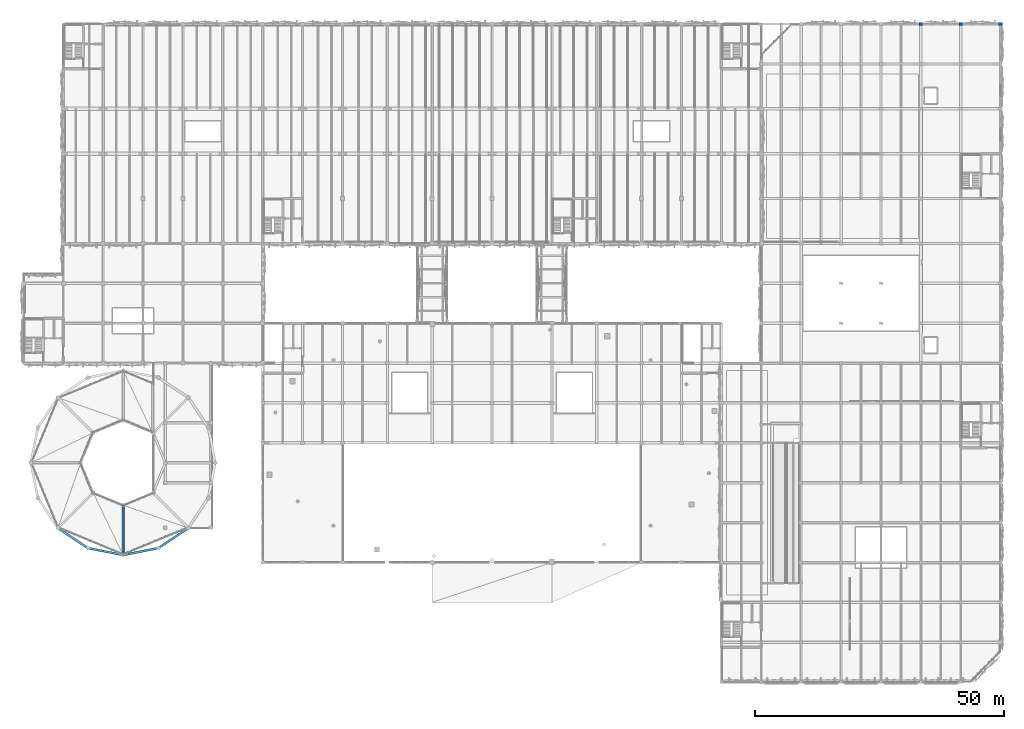
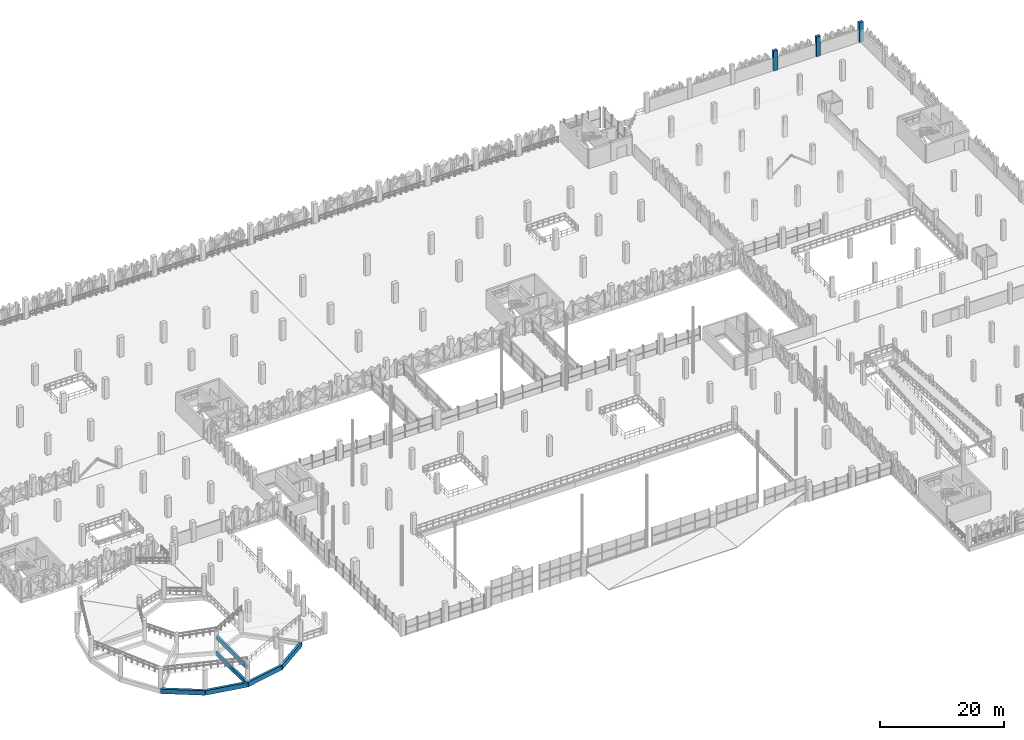
# One storey, part 20 of 123: 6 beams, 3 columns.
"""IFC4 building model written with IfcOpenShell, lengths in metres."""

from ifc_helpers import new_model, si_unit, derived_unit, direction, frame, origin, origin_2d, place, context, subcontext, project, spatial, rectangle, extrude, material, material_profile, profile_set, type_object, element, save


model = new_model("IFC4")

# Units and contexts
model_context = context("Model", 3, precision=1e-05, world=origin(), true_north=direction((0.0, 1.0)))
body_context = subcontext(model_context, "Body", "Model", "MODEL_VIEW")
ifc_project = project(units=[si_unit("LENGTHUNIT", "METRE"), si_unit("AREAUNIT", "SQUARE_METRE"), si_unit("VOLUMEUNIT", "CUBIC_METRE"), si_unit("PLANEANGLEUNIT", "RADIAN"), si_unit("MASSUNIT", "GRAM", prefix="KILO"), si_unit("THERMODYNAMICTEMPERATUREUNIT", "KELVIN"), derived_unit("THERMALTRANSMITTANCEUNIT", [(si_unit("POWERUNIT", "WATT"), 1), (si_unit("AREAUNIT", "SQUARE_METRE"), -1), (si_unit("THERMODYNAMICTEMPERATUREUNIT", "KELVIN"), -1)])], contexts=[model_context])

# Site, building, storey
site_placement = place(None, origin())
site = spatial("IfcSite", under=ifc_project, at=site_placement, CompositionType="ELEMENT")
building_placement = place(site_placement, origin())
building = spatial("IfcBuilding", under=site, at=building_placement, Name="Haiyu Intermodal Mobility Hub", CompositionType="ELEMENT")
storey_placement = place(building_placement, frame((0.0, 0.0, 5.60009765625)))
storey = spatial("IfcBuildingStorey", under=building, at=storey_placement, Name="L01", CompositionType="ELEMENT", Elevation=5.60009765625)

# Columns
ifc_material = material(Name="Concrete C40", Category="concrete")
ifc_material_profile_1 = material_profile(ifc_material, rectangle(XDim=0.75, YDim=0.550048828125, at=origin_2d()), Name="C750x550")
ifc_profile_set_1 = profile_set([ifc_material_profile_1], Name="Concrete C40")
column_type = type_object("IfcColumnType", Name="COL-CC15-EXT", PredefinedType="COLUMN", material=ifc_profile_set_1)
for number, where, z_axis, x_axis, name in (
    (1, (194.0, 148.0, 0.0), (0.0, 0.0, 1.0), (1.0, 0.0, 0.0), "Column V6-22S L01"),
    (2, (202.0, 148.0, 0.0), (0.0, 0.0, 1.0), (1.0, 0.0, 0.0), "Column V6-23S L01"),
    (3, (210.0, 148.0, 0.0), (0.0, 0.0, 1.0), (1.0, 0.0, 0.0), "Column V6-24S L01"),
):
    element("IfcColumn", number, at=place(storey_placement, frame(where, z_axis=z_axis, x_axis=x_axis)), inside=storey, type_object=column_type, Name=name, PredefinedType="COLUMN", context=body_context, shape_type="SweptSolid", body=[
        extrude(rectangle(XDim=0.75, YDim=0.550048828125, at=origin_2d()), origin(), (0.0, 0.0, 1.0), 3.89990234375),
    ])

# Beams
ifc_material_profile_2 = material_profile(ifc_material, rectangle(XDim=0.449951171875, YDim=0.89990234375, at=origin_2d()), Name="RCB450x900")
ifc_profile_set_2 = profile_set([ifc_material_profile_2], Name="Concrete C40")
beam_type_1 = type_object("IfcBeamType", Name="BM-CB10", PredefinedType="BEAM", material=ifc_profile_set_2)
beam_1_placement = place(storey_placement, frame((20.9189453125, 46.9189453125, -0.72998046875), z_axis=(0.831388838942, -0.555691099877, 0.0), x_axis=(0.555691099877, 0.831388838942, 0.0)))
element("IfcBeam", 4, at=beam_1_placement, inside=storey, type_object=beam_type_1, Name="BM-RMP-O-L01-011", PredefinedType="BEAM", context=body_context, shape_type="SweptSolid", body=[
    extrude(rectangle(XDim=0.449951171875, YDim=0.89990234375, at=origin_2d()), origin(), (0.0, 0.0, 1.0), 7.218017578125),
])
for number, where, z_axis, x_axis, name in (
    (5, (26.919921875, 42.907958984375, -0.72998046875), (0.980794718605, -0.195042866972, 0.0), (0.195042866972, 0.980794718605, 0.0), "BM-RMP-O-L01-012"),
    (6, (34.0, 41.5, -0.72998046875), (0.980794718605, 0.195042866972, 0.0), (-0.195042866972, 0.980794718605, 0.0), "BM-RMP-O-L01-013"),
):
    element("IfcBeam", number, at=place(storey_placement, frame(where, z_axis=z_axis, x_axis=x_axis)), inside=storey, type_object=beam_type_1, Name=name, PredefinedType="BEAM", context=body_context, shape_type="SweptSolid", body=[
        extrude(rectangle(XDim=0.449951171875, YDim=0.89990234375, at=origin_2d()), origin(), (0.0, 0.0, 1.0), 7.21875),
    ])
beam_2_placement = place(storey_placement, frame((41.080078125, 42.907958984375, -0.72998046875), z_axis=(0.831388838942, 0.555691099877, 0.0), x_axis=(-0.555691099877, 0.831388838942, 0.0)))
element("IfcBeam", 7, at=beam_2_placement, inside=storey, type_object=beam_type_1, Name="BM-RMP-O-L01-014", PredefinedType="BEAM", context=body_context, shape_type="SweptSolid", body=[
    extrude(rectangle(XDim=0.449951171875, YDim=0.89990234375, at=origin_2d()), origin(), (0.0, 0.0, 1.0), 7.218017578125),
])
ifc_material_profile_3 = material_profile(ifc_material, rectangle(XDim=0.39990234375, YDim=0.719970703125, at=origin_2d()), Name="RCB400x720")
ifc_profile_set_3 = profile_set([ifc_material_profile_3], Name="Concrete C40")
beam_type_2 = type_object("IfcBeamType", Name="BM-CB11", PredefinedType="BEAM", material=ifc_profile_set_3)
for number, where, z_axis, x_axis, name in (
    (8, (34.0, 51.5, -0.64013671875), (0.0, -1.0, 0.0), (1.0, 0.0, 0.0), "BM-RMP-R-L01-030"),
    (9, (34.0, 51.5, 2.60498046875), (0.0, -1.0, 0.0), (1.0, 0.0, 0.0), "BM-RMPM-L01-05"),
):
    element("IfcBeam", number, at=place(storey_placement, frame(where, z_axis=z_axis, x_axis=x_axis)), inside=storey, type_object=beam_type_2, Name=name, PredefinedType="BEAM", context=body_context, shape_type="SweptSolid", body=[
        extrude(rectangle(XDim=0.39990234375, YDim=0.719970703125, at=origin_2d()), origin(), (0.0, 0.0, 1.0), 10.0),
    ])

save(model, "model.ifc")
